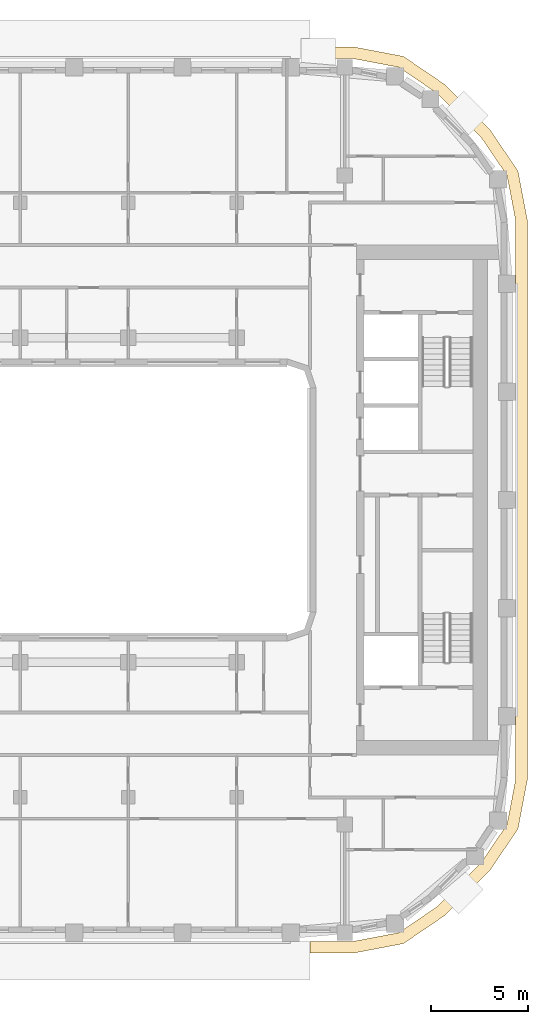
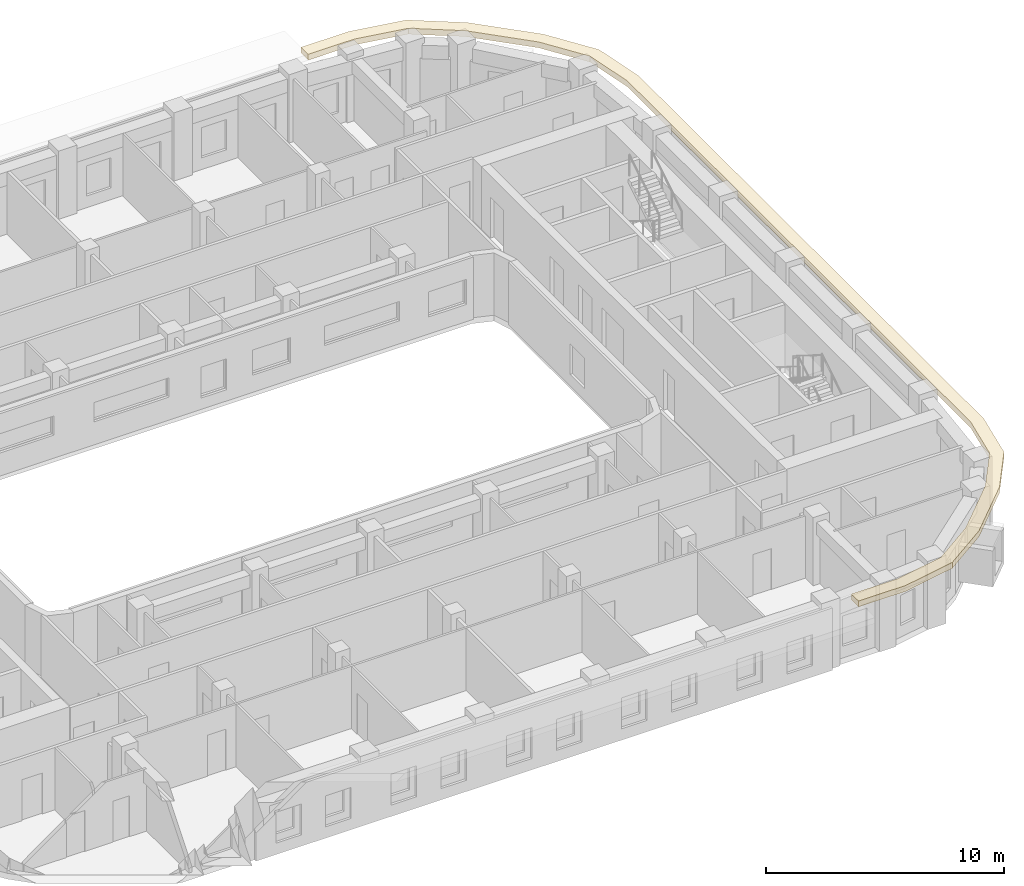
# One storey, part 17 of 21: 1 covering.
"""IFC4 building model written with IfcOpenShell, lengths in metres."""

import ifcopenshell
import ifcopenshell.guid

model = None  # the IFC model being written
_history = None  # IfcOwnerHistory: only IFC2X3 demands one
_inside = {}  # id of a spatial element -> (the spatial element, [elements in it])
_under = {}  # id of a project, library or spatial element -> (it, [spatial elements below it])
_declared = {}  # id of a project -> (the project, [libraries it declares])
_typed = {}  # id of a type object -> (the type object, [elements of that type])
_made_of = {}  # id of a material, layer set ... -> (it, [elements and type objects made of it])


def new_model(schema):
    """Start an empty IFC model of exactly this schema.

    Asked for "IFC4X3", IfcOpenShell would pick the latest addendum, in which some entities
    have other attributes; the version numbers below select the first issue.
    IFC2X3 requires an IfcOwnerHistory on every rooted entity: one is made here for all.
    """
    global model, _history
    if schema == "IFC4X3":
        model = ifcopenshell.file(schema_version=(4, 3, 0, 0))
    else:
        model = ifcopenshell.file(schema=schema)
    _inside.clear()
    _under.clear()
    _declared.clear()
    _typed.clear()
    _made_of.clear()
    _history = None
    if model.schema == "IFC2X3":
        org = make("IfcOrganization", Name="unknown")
        user = make(
            "IfcPersonAndOrganization",
            ThePerson=make("IfcPerson", FamilyName="unknown"),
            TheOrganization=org,
        )
        app = make(
            "IfcApplication",
            ApplicationDeveloper=org,
            Version="unknown",
            ApplicationFullName="unknown",
            ApplicationIdentifier="unknown",
        )
        _history = make(
            "IfcOwnerHistory",
            OwningUser=user,
            OwningApplication=app,
            ChangeAction="ADDED",
            CreationDate=0,
        )
    return model


def make(cls, **values):
    """One entity of the class cls with the attributes given. An attribute that is None is left unset."""
    return model.create_entity(
        cls, **{name: value for name, value in values.items() if value is not None}
    )


def rooted(cls, **values):
    """An entity with a GlobalId (a new one), such as an element, a storey or a relation."""
    return make(cls, GlobalId=ifcopenshell.guid.new(), OwnerHistory=_history, **values)


def si_unit(unit_type, name, prefix=None):
    """IfcSIUnit, for example si_unit("LENGTHUNIT", "METRE", prefix="MILLI")."""
    return make("IfcSIUnit", UnitType=unit_type, Prefix=prefix, Name=name)


def assignment(units):
    """IfcUnitAssignment: the units of a project."""
    return None if units is None else make("IfcUnitAssignment", Units=units)


def point(xyz):
    """IfcCartesianPoint."""
    return None if xyz is None else make("IfcCartesianPoint", Coordinates=xyz)


def direction(xyz):
    """IfcDirection."""
    return None if xyz is None else make("IfcDirection", DirectionRatios=xyz)


def frame(location, z_axis=None, x_axis=None):
    """IfcAxis2Placement3D, a coordinate frame: its origin and axes. An axis left out is left unset."""
    return make(
        "IfcAxis2Placement3D",
        Location=point(location),
        Axis=direction(z_axis),
        RefDirection=direction(x_axis),
    )


def origin():
    """The frame at (0, 0, 0) with its axes left unset."""
    return frame((0.0, 0.0, 0.0))


def place(relative_to, where):
    """IfcLocalPlacement: puts the frame where relative to a parent placement (None: the world)."""
    return make(
        "IfcLocalPlacement", PlacementRelTo=relative_to, RelativePlacement=where
    )


def context(
    kind, dimensions, precision=None, world=None, true_north=None, identifier=None
):
    """IfcGeometricRepresentationContext, for example the 3D "Model" context."""
    return make(
        "IfcGeometricRepresentationContext",
        ContextIdentifier=identifier,
        ContextType=kind,
        CoordinateSpaceDimension=dimensions,
        Precision=precision,
        WorldCoordinateSystem=world,
        TrueNorth=true_north,
    )


def subcontext(parent, identifier, kind, view, scale=None):
    """IfcGeometricRepresentationSubContext, for example "Body" below "Model"."""
    return make(
        "IfcGeometricRepresentationSubContext",
        ContextIdentifier=identifier,
        ContextType=kind,
        ParentContext=parent,
        TargetScale=scale,
        TargetView=view,
    )


def project(units=None, contexts=None):
    """IfcProject with its units and contexts."""
    return rooted(
        "IfcProject",
        Name="project",
        RepresentationContexts=contexts,
        UnitsInContext=assignment(units),
    )


def spatial(cls, under=None, at=None, **own):
    """A site, building, storey or space (cls), placed at a placement, below another one or the project."""
    s = rooted(cls, ObjectPlacement=at, **own)
    if under is not None:
        _under.setdefault(under.id(), (under, []))[1].append(s)
    return s


def polyline(points):
    """IfcPolyline through the points."""
    return make("IfcPolyline", Points=[point(p) for p in points])


def outline(outer, holes=None, kind="AREA"):
    """IfcArbitraryClosedProfileDef: a profile drawn as a closed curve; with holes, ...WithVoids."""
    if holes is None:
        return make("IfcArbitraryClosedProfileDef", ProfileType=kind, OuterCurve=outer)
    return make(
        "IfcArbitraryProfileDefWithVoids",
        ProfileType=kind,
        OuterCurve=outer,
        InnerCurves=holes,
    )


def extrude(swept, where, along, depth):
    """IfcExtrudedAreaSolid: the profile swept, set in the frame where, extruded along a direction by depth."""
    return make(
        "IfcExtrudedAreaSolid",
        SweptArea=swept,
        Position=where,
        ExtrudedDirection=direction(along),
        Depth=depth,
    )


def shape(context_of_items, identifier, shape_type, items):
    """IfcShapeRepresentation: the items that make up one representation, for example the "Body"."""
    return make(
        "IfcShapeRepresentation",
        ContextOfItems=context_of_items,
        RepresentationIdentifier=identifier,
        RepresentationType=shape_type,
        Items=items,
    )


def material(Name=None, Category=None):
    """IfcMaterial."""
    return make("IfcMaterial", Name=Name, Category=Category)


def layer(
    of_material, thickness, ventilated=None, Name=None, Category=None, Priority=None
):
    """IfcMaterialLayer: one layer of a wall or slab, of a material (None: an air gap)."""
    return make(
        "IfcMaterialLayer",
        Material=of_material,
        LayerThickness=thickness,
        IsVentilated=ventilated,
        Name=Name,
        Category=Category,
        Priority=Priority,
    )


def layer_set(layers, Name=None):
    """IfcMaterialLayerSet."""
    return make("IfcMaterialLayerSet", MaterialLayers=layers, LayerSetName=Name)


def made_of(thing, what):
    """Note that an element or type object is made of a material, layer set ...; save() writes the relation."""
    if what is not None:
        _made_of.setdefault(what.id(), (what, []))[1].append(thing)
    return thing


def type_object(cls, material=None, **own):
    """A type object (cls), such as IfcWallType, which elements share."""
    return made_of(rooted(cls, **own), material)


def element(
    cls,
    number,
    at=None,
    inside=None,
    cuts=None,
    type_object=None,
    material=None,
    context=None,
    identifier="Body",
    shape_type=None,
    held_by="IfcProductDefinitionShape",
    body=None,
    shapes=None,
    **own,
):
    """One element of the class cls, such as IfcWall. Its Tag is "e" and its number.

    at: its placement. inside: the storey or other place that contains it. cuts: it is an
    opening in that element (IfcRelVoidsElement). A single representation is given by context,
    identifier, shape_type and body (its items); several are given by shapes. held_by: the class
    of the entity that holds the representations. save() writes the other relations.
    """
    e = rooted(cls, Tag="e%d" % number, ObjectPlacement=at, **own)
    if body is not None:
        shapes = [shape(context, identifier, shape_type, body)]
    if shapes is not None:
        e.Representation = make(held_by, Representations=shapes)
    if inside is not None:
        _inside.setdefault(inside.id(), (inside, []))[1].append(e)
    if cuts is not None:
        rooted(
            "IfcRelVoidsElement", RelatingBuildingElement=cuts, RelatedOpeningElement=e
        )
    if type_object is not None:
        _typed.setdefault(type_object.id(), (type_object, []))[1].append(e)
    return made_of(e, material)


def aggregate(whole, parts):
    """IfcRelAggregates: a whole, such as a stair, and the parts it consists of."""
    return rooted("IfcRelAggregates", RelatingObject=whole, RelatedObjects=parts)


def save(model, path):
    """Write the relations noted so far, then the file.

    IfcRelAggregates (storeys below a building ...), IfcRelContainedInSpatialStructure (elements
    in a storey), IfcRelDefinesByType, IfcRelAssociatesMaterial and IfcRelDeclares: one each for
    every whole, place, type object, material and project.
    """
    for whole, parts in _under.values():
        aggregate(whole, parts)
    for where, things in _inside.values():
        rooted(
            "IfcRelContainedInSpatialStructure",
            RelatedElements=things,
            RelatingStructure=where,
        )
    for kind, things in _typed.values():
        rooted("IfcRelDefinesByType", RelatedObjects=things, RelatingType=kind)
    for what, things in _made_of.values():
        rooted("IfcRelAssociatesMaterial", RelatedObjects=things, RelatingMaterial=what)
    for by, libraries in _declared.values():
        rooted("IfcRelDeclares", RelatingContext=by, RelatedDefinitions=libraries)
    model.write(path)


model = new_model("IFC4")

# Units and contexts
model_context = context("Model", 3, precision=1e-05, world=origin(), true_north=direction((0.0, 1.0)))
body_context = subcontext(model_context, "Body", "Model", "MODEL_VIEW")
ifc_project = project(units=[si_unit("LENGTHUNIT", "METRE"), si_unit("AREAUNIT", "SQUARE_METRE"), si_unit("VOLUMEUNIT", "CUBIC_METRE"), si_unit("PLANEANGLEUNIT", "RADIAN"), si_unit("MASSUNIT", "GRAM", prefix="KILO")], contexts=[model_context])

# Site, building, storey
site_placement = place(None, origin())
site = spatial("IfcSite", under=ifc_project, at=site_placement, CompositionType="ELEMENT")
building_placement = place(site_placement, origin())
building = spatial("IfcBuilding", under=site, at=building_placement, Name="Kiln Ring Residences", CompositionType="ELEMENT")
storey_placement = place(building_placement, frame((0.0, 0.0, 202.89990234375)))
storey = spatial("IfcBuildingStorey", under=building, at=storey_placement, Name="L52", CompositionType="ELEMENT", Elevation=202.89990234375)

# Covering
ifc_material = material(Name="Black powder-coated steel", Category="steel")
ifc_layer = layer(ifc_material, 0.300048828125)
ifc_layer_set = layer_set([ifc_layer], Name="SUNSHADE FIN 600")
covering_type = type_object("IfcCoveringType", Name="SUNSHADE FIN 600", PredefinedType="CLADDING", material=ifc_layer_set)
covering_placement = place(storey_placement, frame((0.0, 0.0, 3.2001953125)))
element("IfcCovering", 1, at=covering_placement, inside=storey, type_object=covering_type, Name="SUNSHADE FIN L52", PredefinedType="CLADDING", context=body_context, shape_type="SweptSolid", body=[
    extrude(outline(polyline([(17.29931640625, 23.449951171875), (15.0, 23.449951171875), (15.0, 22.85009765625), (17.242431640625, 22.85009765625), (19.60009765625, 22.400390625), (21.585205078125, 21.05126953125), (23.851318359375, 18.78515625), (25.2001953125, 16.800048828125), (25.64990234375, 14.4423828125), (25.64990234375, -14.4423828125), (25.2001953125, -16.800048828125), (23.851318359375, -18.78515625), (21.585205078125, -21.05126953125), (19.60009765625, -22.400390625), (17.242431640625, -22.85009765625), (15.0, -22.85009765625), (15.0, -23.449951171875), (17.29931640625, -23.449951171875), (19.834716796875, -22.96630859375), (21.96923828125, -21.515625), (24.315673828125, -19.169189453125), (25.766357421875, -17.03466796875), (26.25, -14.499267578125), (26.25, 14.499267578125), (25.766357421875, 17.03466796875), (24.315673828125, 19.169189453125), (21.96923828125, 21.515625), (19.834716796875, 22.96630859375), (17.29931640625, 23.449951171875)])), origin(), (0.0, 0.0, 1.0), 0.2998046875),
])

save(model, "model.ifc")
